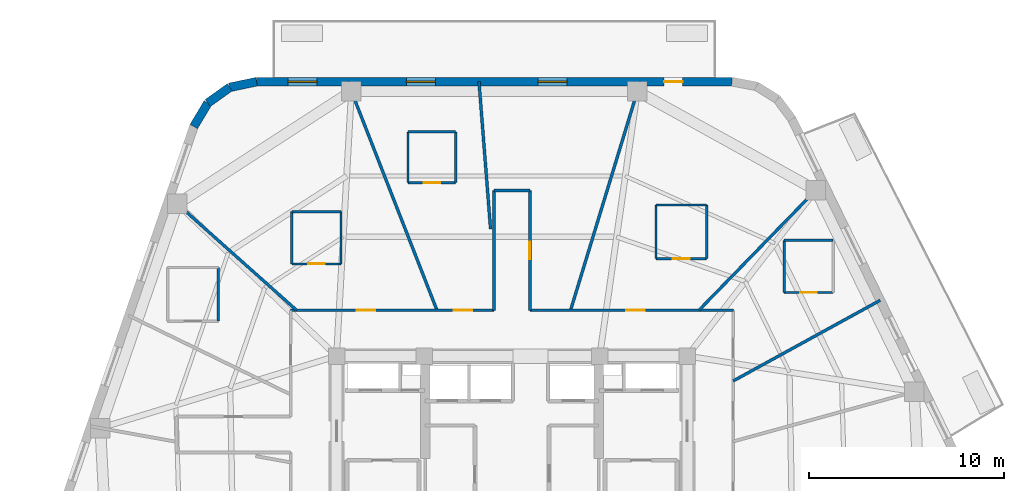
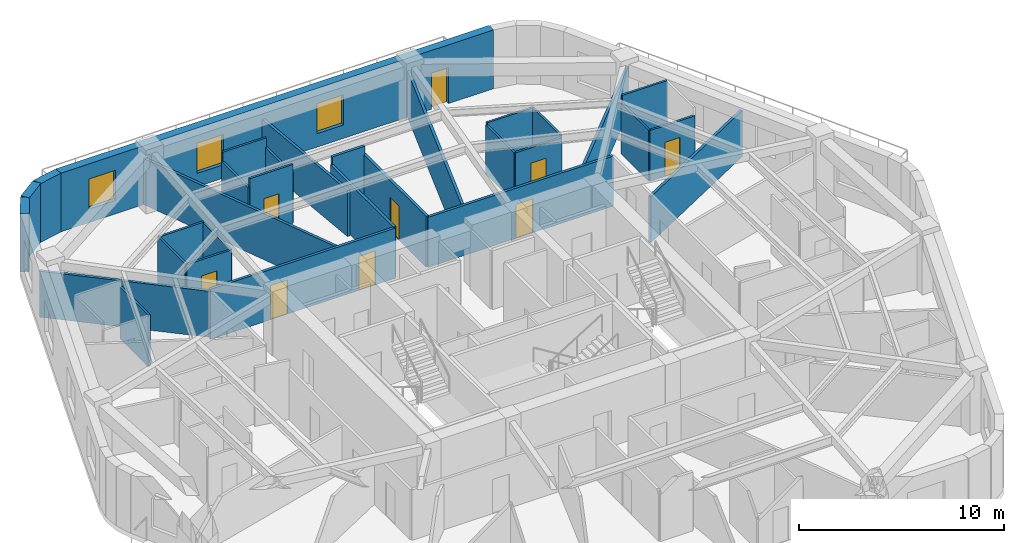
# One storey, part 6 of 10: 31 walls, 9 doors, 3 windows, 12 openings.
"""IFC4 building model written with IfcOpenShell, lengths in metres."""

from ifc_helpers import new_model, si_unit, direction, frame, frame_2d, origin, place, context, subcontext, project, spatial, rectangle, extrude, material, layer, layer_set, type_object, element, fill, save


model = new_model("IFC4")

# Units and contexts
model_context = context("Model", 3, precision=1e-05, world=origin(), true_north=direction((0.0, 1.0)))
body_context = subcontext(model_context, "Body", "Model", "MODEL_VIEW")
ifc_project = project(units=[si_unit("LENGTHUNIT", "METRE"), si_unit("AREAUNIT", "SQUARE_METRE"), si_unit("VOLUMEUNIT", "CUBIC_METRE"), si_unit("PLANEANGLEUNIT", "RADIAN"), si_unit("MASSUNIT", "GRAM", prefix="KILO")], contexts=[model_context])

# Site, building, storey
site_placement = place(None, origin())
site = spatial("IfcSite", under=ifc_project, at=site_placement, CompositionType="ELEMENT")
building_placement = place(site_placement, origin())
building = spatial("IfcBuilding", under=site, at=building_placement, Name="Kilnhurst Terrace Hotel", CompositionType="ELEMENT")
storey_placement = place(building_placement, frame((0.0, 0.0, 244.5)))
storey = spatial("IfcBuildingStorey", under=building, at=storey_placement, Name="L61", CompositionType="ELEMENT", Elevation=244.5)

# Walls
ifc_material_1 = material(Name="Precast concrete C40/50", Category="concrete")
ifc_layer_1 = layer(ifc_material_1, 0.449951171875, Name="Precast concrete C40/50")
ifc_layer_set_1 = layer_set([ifc_layer_1], Name="Precast concrete C40/50")
wall_type_1 = type_object("IfcWallType", Name="WL-BRK-450", PredefinedType="SOLIDWALL", material=ifc_layer_set_1)
wall_1_placement = place(storey_placement, frame((-13.1015625, 21.574951171875, 0.0), z_axis=(0.0, 0.0, 1.0), x_axis=(-0.978757421505, -0.205021730188, 0.0)))
element("IfcWall", 1, at=wall_1_placement, inside=storey, type_object=wall_type_1, Name="L61 Rounded Corner Brick Wall C5.1", PredefinedType="SOLIDWALL", context=body_context, shape_type="SweptSolid", body=[
    extrude(rectangle(XDim=1.40625, YDim=0.449951171875, at=frame_2d((0.703125, 0.0))), origin(), (0.0, 0.0, 1.0), 3.5),
])
wall_2_placement = place(storey_placement, frame((-14.47802734375, 21.28662109375, 0.0), z_axis=(0.0, 0.0, 1.0), x_axis=(-0.813888518617, -0.58102106611, 0.0)))
element("IfcWall", 2, at=wall_2_placement, inside=storey, type_object=wall_type_1, Name="L61 Rounded Corner Brick Wall C5.2", PredefinedType="SOLIDWALL", context=body_context, shape_type="SweptSolid", body=[
    extrude(rectangle(XDim=1.3828125, YDim=0.449951171875, at=frame_2d((0.69140625, 0.0))), origin(), (0.0, 0.0, 1.0), 3.5),
])
wall_3_placement = place(storey_placement, frame((-15.603515625, 20.483154296875, 0.0), z_axis=(0.0, 0.0, 1.0), x_axis=(-0.512222149036, -0.858852996756, 0.0)))
element("IfcWall", 3, at=wall_3_placement, inside=storey, type_object=wall_type_1, Name="L61 Rounded Corner Brick Wall C5.3", PredefinedType="SOLIDWALL", context=body_context, shape_type="SweptSolid", body=[
    extrude(rectangle(XDim=1.406494140625, YDim=0.449951171875, at=frame_2d((0.703125, 0.0))), origin(), (0.0, 0.0, 1.0), 3.5),
])

# Wall, openings, door, windows
wall_4_placement = place(storey_placement, frame((11.297607421875, 21.574951171875, 0.0), z_axis=(0.0, 0.0, 1.0), x_axis=(-1.0, 0.0, 0.0)))
wall_4 = element("IfcWall", 4, at=wall_4_placement, inside=storey, type_object=wall_type_1, Name="L61 Exterior Brick Facade Wall F4", PredefinedType="SOLIDWALL", context=body_context, shape_type="SweptSolid", body=[
    extrude(rectangle(XDim=24.399169921875, YDim=0.449951171875, at=frame_2d((12.19970703125, 0.0))), origin(), (0.0, 0.0, 1.0), 3.5),
])
opening_1_placement = place(wall_4_placement, frame((2.550048828125, 0.0, 0.0)))
opening_1 = element("IfcOpeningElement", 5, at=opening_1_placement, cuts=wall_4, Name="Opening BD-950", PredefinedType="OPENING", context=body_context, shape_type="SweptSolid", body=[
    extrude(rectangle(XDim=0.949951171875, YDim=2.14990234375, at=frame_2d((0.47509765625, 1.074951171875))), frame((0.0, 0.23486328125, 0.0), z_axis=(0.0, -1.0, 0.0), x_axis=(1.0, 0.0, 0.0)), (0.0, 0.0, 1.0), 0.469970703125),
])
opening_2_placement = place(wall_4_placement, frame((8.468994140625, 0.0, 0.800048828125)))
opening_2 = element("IfcOpeningElement", 6, at=opening_2_placement, cuts=wall_4, Name="Opening W-02", PredefinedType="OPENING", context=body_context, shape_type="SweptSolid", body=[
    extrude(rectangle(XDim=1.5, YDim=1.800048828125, at=frame_2d((0.75, 0.89990234375))), frame((0.0, 0.23486328125, 0.0), z_axis=(0.0, -1.0, 0.0), x_axis=(1.0, 0.0, 0.0)), (0.0, 0.0, 1.0), 0.469970703125),
])
opening_3_placement = place(wall_4_placement, frame((15.221923828125, 0.0, 0.800048828125)))
opening_3 = element("IfcOpeningElement", 7, at=opening_3_placement, cuts=wall_4, Name="Opening W-02", PredefinedType="OPENING", context=body_context, shape_type="SweptSolid", body=[
    extrude(rectangle(XDim=1.5, YDim=1.800048828125, at=frame_2d((0.75, 0.89990234375))), frame((0.0, 0.23486328125, 0.0), z_axis=(0.0, -1.0, 0.0), x_axis=(1.0, 0.0, 0.0)), (0.0, 0.0, 1.0), 0.469970703125),
])
opening_4_placement = place(wall_4_placement, frame((21.2958984375, 0.0, 0.800048828125)))
opening_4 = element("IfcOpeningElement", 8, at=opening_4_placement, cuts=wall_4, Name="Opening W-02", PredefinedType="OPENING", context=body_context, shape_type="SweptSolid", body=[
    extrude(rectangle(XDim=1.5, YDim=1.800048828125, at=frame_2d((0.75, 0.89990234375))), frame((0.0, 0.23486328125, 0.0), z_axis=(0.0, -1.0, 0.0), x_axis=(1.0, 0.0, 0.0)), (0.0, 0.0, 1.0), 0.469970703125),
])
ifc_material_2 = material(Name="Thermally Broken Bronze Aluminium Alloy 6063-T6 and Laminated Glass", Category="aluminium")
door_type_1 = type_object("IfcDoorType", Name="DR-EXT-BAL-950", OperationType="NOTDEFINED", PredefinedType="DOOR", material=ifc_material_2)
door_1_placement = place(opening_1_placement, origin())
door_1 = element("IfcDoor", 9, at=door_1_placement, inside=storey, type_object=door_type_1, Name="L61 Planted Balcony Door BAL-L1B", OperationType="SINGLE_SWING_RIGHT", OverallHeight=2.14990234375, OverallWidth=0.949951171875, PredefinedType="DOOR", context=body_context, shape_type="SweptSolid", body=[
    extrude(rectangle(XDim=0.949951171875, YDim=2.14990234375, at=frame_2d((0.47509765625, 1.074951171875))), frame((0.0, 0.02490234375, 0.0), z_axis=(0.0, -1.0, 0.0), x_axis=(1.0, 0.0, 0.0)), (0.0, 0.0, 1.0), 0.050048828125),
])
fill(opening_1, door_1)
ifc_material_3 = material(Name="Thermally Broken Bronze Aluminium Alloy 6063-T6 and Low-E Glass", Category="aluminium")
window_type = type_object("IfcWindowType", Name="WIN-1500X1800", PartitioningType="SINGLE_PANEL", PredefinedType="WINDOW", material=ifc_material_3)
window_1_placement = place(opening_2_placement, origin())
window_1 = element("IfcWindow", 10, at=window_1_placement, inside=storey, type_object=window_type, Name="L61 Deep-Set Masonry Window F4.1", OverallHeight=1.800048828125, OverallWidth=1.5, PartitioningType="SINGLE_PANEL", PredefinedType="WINDOW", context=body_context, shape_type="SweptSolid", body=[
    extrude(rectangle(XDim=1.5, YDim=1.800048828125, at=frame_2d((0.75, 0.89990234375))), frame((0.0, 0.030029296875, 0.0), z_axis=(0.0, -1.0, 0.0), x_axis=(1.0, 0.0, 0.0)), (0.0, 0.0, 1.0), 0.06005859375),
])
fill(opening_2, window_1)
window_2_placement = place(opening_3_placement, origin())
window_2 = element("IfcWindow", 11, at=window_2_placement, inside=storey, type_object=window_type, Name="L61 Deep-Set Masonry Window F4.2", OverallHeight=1.800048828125, OverallWidth=1.5, PartitioningType="SINGLE_PANEL", PredefinedType="WINDOW", context=body_context, shape_type="SweptSolid", body=[
    extrude(rectangle(XDim=1.5, YDim=1.800048828125, at=frame_2d((0.75, 0.89990234375))), frame((0.0, 0.030029296875, 0.0), z_axis=(0.0, -1.0, 0.0), x_axis=(1.0, 0.0, 0.0)), (0.0, 0.0, 1.0), 0.06005859375),
])
fill(opening_3, window_2)
window_3_placement = place(opening_4_placement, origin())
window_3 = element("IfcWindow", 12, at=window_3_placement, inside=storey, type_object=window_type, Name="L61 Deep-Set Masonry Window F4.3", OverallHeight=1.800048828125, OverallWidth=1.5, PartitioningType="SINGLE_PANEL", PredefinedType="WINDOW", context=body_context, shape_type="SweptSolid", body=[
    extrude(rectangle(XDim=1.5, YDim=1.800048828125, at=frame_2d((0.75, 0.89990234375))), frame((0.0, 0.030029296875, 0.0), z_axis=(0.0, -1.0, 0.0), x_axis=(1.0, 0.0, 0.0)), (0.0, 0.0, 1.0), 0.06005859375),
])
fill(opening_4, window_3)

# Wall, openings, doors
ifc_material_4 = material(Name="Acoustic Double-Gypsum Corridor Partition Assembly")
ifc_layer_2 = layer(ifc_material_4, 0.14990234375, Name="Acoustic Double-Gypsum Corridor Partition Assembly")
ifc_layer_set_2 = layer_set([ifc_layer_2], Name="Acoustic Double-Gypsum Corridor Partition Assembly")
wall_type_2 = type_object("IfcWallType", Name="WL-COR-150", PredefinedType="PARTITIONING", material=ifc_layer_set_2)
wall_5_placement = place(storey_placement, frame((-11.35009765625, 9.85009765625, 0.0), z_axis=(0.0, 0.0, 1.0), x_axis=(1.0, 0.0, 0.0)))
wall_5 = element("IfcWall", 13, at=wall_5_placement, inside=storey, type_object=wall_type_2, Name="L61 Interior Wall WL-L61-COR-06", PredefinedType="PARTITIONING", context=body_context, shape_type="SweptSolid", body=[
    extrude(rectangle(XDim=10.43017578125, YDim=0.14990234375, at=frame_2d((5.215087890625, 0.0))), origin(), (0.0, 0.0, 1.0), 2.989990234375),
])
opening_5_placement = place(wall_5_placement, frame((8.362060546875, 0.0, 0.0)))
opening_5 = element("IfcOpeningElement", 14, at=opening_5_placement, cuts=wall_5, Name="Opening D-60B", PredefinedType="OPENING", context=body_context, shape_type="SweptSolid", body=[
    extrude(rectangle(XDim=0.949951171875, YDim=2.030029296875, at=frame_2d((0.47509765625, 1.01513671875))), frame((0.0, 0.0849609375, 0.0), z_axis=(0.0, -1.0, 0.0), x_axis=(1.0, 0.0, 0.0)), (0.0, 0.0, 1.0), 0.169921875),
])
opening_6_placement = place(wall_5_placement, frame((3.39599609375, 0.0, 0.0)))
opening_6 = element("IfcOpeningElement", 15, at=opening_6_placement, cuts=wall_5, Name="Opening D-60B", PredefinedType="OPENING", context=body_context, shape_type="SweptSolid", body=[
    extrude(rectangle(XDim=0.949951171875, YDim=2.030029296875, at=frame_2d((0.47509765625, 1.01513671875))), frame((0.0, 0.0849609375, 0.0), z_axis=(0.0, -1.0, 0.0), x_axis=(1.0, 0.0, 0.0)), (0.0, 0.0, 1.0), 0.169921875),
])
ifc_material_5 = material(Name="Acoustic Walnut Veneer Solid-Core Fire Door")
door_type_2 = type_object("IfcDoorType", Name="DR-FD60-950", OperationType="NOTDEFINED", PredefinedType="DOOR", material=ifc_material_5)
door_2_placement = place(opening_5_placement, origin())
door_2 = element("IfcDoor", 16, at=door_2_placement, inside=storey, type_object=door_type_2, Name="L61 Guest Room Entry Door 5", OperationType="SINGLE_SWING_LEFT", OverallHeight=2.030029296875, OverallWidth=0.949951171875, PredefinedType="DOOR", context=body_context, shape_type="SweptSolid", body=[
    extrude(rectangle(XDim=0.949951171875, YDim=2.030029296875, at=frame_2d((0.47509765625, 1.01513671875))), frame((0.0, 0.02490234375, 0.0), z_axis=(0.0, -1.0, 0.0), x_axis=(1.0, 0.0, 0.0)), (0.0, 0.0, 1.0), 0.050048828125),
])
fill(opening_5, door_2)
door_3_placement = place(opening_6_placement, origin())
door_3 = element("IfcDoor", 17, at=door_3_placement, inside=storey, type_object=door_type_2, Name="L61 Executive Suite Entry Door 6", OperationType="SINGLE_SWING_RIGHT", OverallHeight=2.030029296875, OverallWidth=0.949951171875, PredefinedType="DOOR", context=body_context, shape_type="SweptSolid", body=[
    extrude(rectangle(XDim=0.949951171875, YDim=2.030029296875, at=frame_2d((0.47509765625, 1.01513671875))), frame((0.0, 0.02490234375, 0.0), z_axis=(0.0, -1.0, 0.0), x_axis=(1.0, 0.0, 0.0)), (0.0, 0.0, 1.0), 0.050048828125),
])
fill(opening_6, door_3)

# Walls
wall_6_placement = place(storey_placement, frame((-0.919921875, 9.85009765625, 0.0), z_axis=(0.0, 0.0, 1.0), x_axis=(0.0, 1.0, 0.0)))
element("IfcWall", 18, at=wall_6_placement, inside=storey, type_object=wall_type_2, Name="L61 Interior Wall WL-L61-COR-07", PredefinedType="PARTITIONING", context=body_context, shape_type="SweptSolid", body=[
    extrude(rectangle(XDim=6.14990234375, YDim=0.14990234375, at=frame_2d((3.074951171875, 0.0))), origin(), (0.0, 0.0, 1.0), 3.026611328125),
])
wall_7_placement = place(storey_placement, frame((-0.919921875, 16.0, 0.0), z_axis=(0.0, 0.0, 1.0), x_axis=(1.0, 0.0, 0.0)))
element("IfcWall", 19, at=wall_7_placement, inside=storey, type_object=wall_type_2, Name="L61 Interior Wall WL-L61-COR-08", PredefinedType="PARTITIONING", context=body_context, shape_type="SweptSolid", body=[
    extrude(rectangle(XDim=1.83984375, YDim=0.14990234375, at=frame_2d((0.919921875, 0.0))), origin(), (0.0, 0.0, 1.0), 3.5),
])

# Wall, opening, door
wall_8_placement = place(storey_placement, frame((0.919921875, 16.0, 0.0), z_axis=(0.0, 0.0, 1.0), x_axis=(0.0, -1.0, 0.0)))
wall_8 = element("IfcWall", 20, at=wall_8_placement, inside=storey, type_object=wall_type_2, Name="L61 Interior Wall WL-L61-COR-09", PredefinedType="PARTITIONING", context=body_context, shape_type="SweptSolid", body=[
    extrude(rectangle(XDim=6.14990234375, YDim=0.14990234375, at=frame_2d((3.074951171875, 0.0))), origin(), (0.0, 0.0, 1.0), 3.026611328125),
])
opening_7_placement = place(wall_8_placement, frame((2.625, 0.0, 0.0)))
opening_7 = element("IfcOpeningElement", 21, at=opening_7_placement, cuts=wall_8, Name="Opening D-60C", PredefinedType="OPENING", context=body_context, shape_type="SweptSolid", body=[
    extrude(rectangle(XDim=0.89990234375, YDim=2.030029296875, at=frame_2d((0.449951171875, 1.01513671875))), frame((0.0, 0.0849609375, 0.0), z_axis=(0.0, -1.0, 0.0), x_axis=(1.0, 0.0, 0.0)), (0.0, 0.0, 1.0), 0.169921875),
])
ifc_material_6 = material(Name="Painted Solid-Core Service Fire Door")
door_type_3 = type_object("IfcDoorType", Name="DR-FD60-900", OperationType="NOTDEFINED", PredefinedType="DOOR", material=ifc_material_6)
door_4_placement = place(opening_7_placement, origin())
door_4 = element("IfcDoor", 22, at=door_4_placement, inside=storey, type_object=door_type_3, Name="L61 Executive Work Office Door 4", OperationType="SINGLE_SWING_RIGHT", OverallHeight=2.030029296875, OverallWidth=0.89990234375, PredefinedType="DOOR", context=body_context, shape_type="SweptSolid", body=[
    extrude(rectangle(XDim=0.89990234375, YDim=2.030029296875, at=frame_2d((0.449951171875, 1.01513671875))), frame((0.0, 0.02490234375, 0.0), z_axis=(0.0, -1.0, 0.0), x_axis=(1.0, 0.0, 0.0)), (0.0, 0.0, 1.0), 0.050048828125),
])
fill(opening_7, door_4)

wall_9_placement = place(storey_placement, frame((0.919921875, 9.85009765625, 0.0), z_axis=(0.0, 0.0, 1.0), x_axis=(1.0, 0.0, 0.0)))
wall_9 = element("IfcWall", 23, at=wall_9_placement, inside=storey, type_object=wall_type_2, Name="L61 Interior Wall WL-L61-COR-10", PredefinedType="PARTITIONING", context=body_context, shape_type="SweptSolid", body=[
    extrude(rectangle(XDim=10.43017578125, YDim=0.14990234375, at=frame_2d((5.215087890625, 0.0))), origin(), (0.0, 0.0, 1.0), 2.989990234375),
])
opening_8_placement = place(wall_9_placement, frame((4.948974609375, 0.0, 0.0)))
opening_8 = element("IfcOpeningElement", 24, at=opening_8_placement, cuts=wall_9, Name="Opening D-60B", PredefinedType="OPENING", context=body_context, shape_type="SweptSolid", body=[
    extrude(rectangle(XDim=0.949951171875, YDim=2.030029296875, at=frame_2d((0.47509765625, 1.01513671875))), frame((0.0, 0.0849609375, 0.0), z_axis=(0.0, -1.0, 0.0), x_axis=(1.0, 0.0, 0.0)), (0.0, 0.0, 1.0), 0.169921875),
])
door_5_placement = place(opening_8_placement, origin())
door_5 = element("IfcDoor", 25, at=door_5_placement, inside=storey, type_object=door_type_2, Name="L61 Executive Suite Entry Door 3", OperationType="SINGLE_SWING_LEFT", OverallHeight=2.030029296875, OverallWidth=0.949951171875, PredefinedType="DOOR", context=body_context, shape_type="SweptSolid", body=[
    extrude(rectangle(XDim=0.949951171875, YDim=2.030029296875, at=frame_2d((0.47509765625, 1.01513671875))), frame((0.0, 0.02490234375, 0.0), z_axis=(0.0, -1.0, 0.0), x_axis=(1.0, 0.0, 0.0)), (0.0, 0.0, 1.0), 0.050048828125),
])
fill(opening_8, door_5)

# Walls
ifc_material_7 = material(Name="STC-58 Acoustic Twin-Frame Guestroom Demising Partition")
ifc_layer_3 = layer(ifc_material_7, 0.14990234375, Name="STC-58 Acoustic Twin-Frame Guestroom Demising Partition")
ifc_layer_set_3 = layer_set([ifc_layer_3], Name="STC-58 Acoustic Twin-Frame Guestroom Demising Partition")
wall_type_3 = type_object("IfcWallType", Name="WL-DEM-150", PredefinedType="PARTITIONING", material=ifc_layer_set_3)
wall_10_placement = place(storey_placement, frame((11.35009765625, 6.2265625, 0.0), z_axis=(0.0, 0.0, 1.0), x_axis=(0.876723190824, 0.480995266786, 0.0)))
element("IfcWall", 26, at=wall_10_placement, inside=storey, type_object=wall_type_3, Name="L61 Interior Wall WL-L61-DEM-MID01-02-1", PredefinedType="PARTITIONING", context=body_context, shape_type="SweptSolid", body=[
    extrude(rectangle(XDim=8.598388671875, YDim=0.14990234375, at=frame_2d((4.29931640625, 0.0))), origin(), (0.0, 0.0, 1.0), 2.739990234375),
])
wall_11_placement = place(storey_placement, frame((9.587890625, 9.85009765625, 0.0), z_axis=(0.0, 0.0, 1.0), x_axis=(0.697519469595, 0.716565830567, 0.0)))
element("IfcWall", 27, at=wall_11_placement, inside=storey, type_object=wall_type_3, Name="L61 Interior Wall WL-L61-DEM-COL02-03-1", PredefinedType="PARTITIONING", context=body_context, shape_type="SweptSolid", body=[
    extrude(rectangle(XDim=9.12646484375, YDim=0.14990234375, at=frame_2d((4.563232421875, 0.0))), origin(), (0.0, 0.0, 1.0), 2.739990234375),
])
wall_12_placement = place(storey_placement, frame((3.00439453125, 9.85009765625, 0.0), z_axis=(0.0, 0.0, 1.0), x_axis=(0.291775760688, 0.956486751333, 0.0)))
element("IfcWall", 28, at=wall_12_placement, inside=storey, type_object=wall_type_3, Name="L61 Interior Wall WL-L61-DEM-COL03-04-1", PredefinedType="PARTITIONING", context=body_context, shape_type="SweptSolid", body=[
    extrude(rectangle(XDim=12.25830078125, YDim=0.14990234375, at=frame_2d((6.129150390625, 0.0))), origin(), (0.0, 0.0, 1.0), 2.739990234375),
])
wall_13_placement = place(storey_placement, frame((-1.10009765625, 14.017578125, 0.0), z_axis=(0.0, 0.0, 1.0), x_axis=(-0.078228275349, 0.996935472804, 0.0)))
element("IfcWall", 29, at=wall_13_placement, inside=storey, type_object=wall_type_3, Name="L61 Interior Wall WL-L61-DEM-MID03-05-1", PredefinedType="PARTITIONING", context=body_context, shape_type="SweptSolid", body=[
    extrude(rectangle(XDim=7.58056640625, YDim=0.14990234375, at=frame_2d((3.790283203125, 0.0))), origin(), (0.0, 0.0, 1.0), 2.739990234375),
])
wall_14_placement = place(storey_placement, frame((-3.848388671875, 9.85009765625, 0.0), z_axis=(0.0, 0.0, 1.0), x_axis=(-0.363921778212, 0.931429513889, 0.0)))
element("IfcWall", 30, at=wall_14_placement, inside=storey, type_object=wall_type_3, Name="L61 Interior Wall WL-L61-DEM-COL04-06-1", PredefinedType="PARTITIONING", context=body_context, shape_type="SweptSolid", body=[
    extrude(rectangle(XDim=12.588134765625, YDim=0.14990234375, at=frame_2d((6.2939453125, 0.0))), origin(), (0.0, 0.0, 1.0), 2.739990234375),
])
wall_15_placement = place(storey_placement, frame((-11.04833984375, 9.85009765625, 0.0), z_axis=(0.0, 0.0, 1.0), x_axis=(-0.746444434655, 0.665447748492, 0.0)))
element("IfcWall", 31, at=wall_15_placement, inside=storey, type_object=wall_type_3, Name="L61 Interior Wall WL-L61-DEM-COL05-07-1", PredefinedType="PARTITIONING", context=body_context, shape_type="SweptSolid", body=[
    extrude(rectangle(XDim=8.732177734375, YDim=0.14990234375, at=frame_2d((4.3662109375, 0.0))), origin(), (0.0, 0.0, 1.0), 2.739990234375),
])

# Wall, opening, door
ifc_material_8 = material(Name="120 mm Moisture-Resistant Tile-Backed Bathroom Partition")
ifc_layer_4 = layer(ifc_material_8, 0.1201171875, Name="120 mm Moisture-Resistant Tile-Backed Bathroom Partition")
ifc_layer_set_4 = layer_set([ifc_layer_4], Name="120 mm Moisture-Resistant Tile-Backed Bathroom Partition")
wall_type_4 = type_object("IfcWallType", Name="WL-PART-120", PredefinedType="PARTITIONING", material=ifc_layer_set_4)
wall_16_placement = place(storey_placement, frame((13.9580078125, 10.761962890625, 0.0), z_axis=(0.0, 0.0, 1.0), x_axis=(1.0, 0.0, 0.0)))
wall_16 = element("IfcWall", 32, at=wall_16_placement, inside=storey, type_object=wall_type_4, Name="L61 Interior Wall WL-L61-BTH-02-1", PredefinedType="PARTITIONING", context=body_context, shape_type="SweptSolid", body=[
    extrude(rectangle(XDim=2.52001953125, YDim=0.1201171875, at=frame_2d((1.260009765625, 0.0))), origin(), (0.0, 0.0, 1.0), 3.026611328125),
])
opening_9_placement = place(wall_16_placement, frame((0.8349609375, 0.0, 0.0)))
opening_9 = element("IfcOpeningElement", 33, at=opening_9_placement, cuts=wall_16, Name="Opening D-08A", PredefinedType="OPENING", context=body_context, shape_type="SweptSolid", body=[
    extrude(rectangle(XDim=0.85009765625, YDim=2.030029296875, at=frame_2d((0.425048828125, 1.01513671875))), frame((0.0, 0.070068359375, 0.0), z_axis=(0.0, -1.0, 0.0), x_axis=(1.0, 0.0, 0.0)), (0.0, 0.0, 1.0), 0.14013671875),
])
ifc_material_9 = material(Name="Moisture-Resistant Lacquered En-suite Bathroom Door")
door_type_4 = type_object("IfcDoorType", Name="DR-INT-850", OperationType="NOTDEFINED", PredefinedType="DOOR", material=ifc_material_9)
door_6_placement = place(opening_9_placement, origin())
door_6 = element("IfcDoor", 34, at=door_6_placement, inside=storey, type_object=door_type_4, Name="L61 En-suite Bathroom Door 2", OperationType="SINGLE_SWING_LEFT", OverallHeight=2.030029296875, OverallWidth=0.85009765625, PredefinedType="DOOR", context=body_context, shape_type="SweptSolid", body=[
    extrude(rectangle(XDim=0.85009765625, YDim=2.030029296875, at=frame_2d((0.425048828125, 1.01513671875))), frame((0.0, 0.02490234375, 0.0), z_axis=(0.0, -1.0, 0.0), x_axis=(1.0, 0.0, 0.0)), (0.0, 0.0, 1.0), 0.050048828125),
])
fill(opening_9, door_6)

# Walls
wall_17_placement = place(storey_placement, frame((16.47802734375, 13.44189453125, 0.0), z_axis=(0.0, 0.0, 1.0), x_axis=(-1.0, 0.0, 0.0)))
element("IfcWall", 35, at=wall_17_placement, inside=storey, type_object=wall_type_4, Name="L61 Interior Wall WL-L61-BTH-02-3", PredefinedType="PARTITIONING", context=body_context, shape_type="SweptSolid", body=[
    extrude(rectangle(XDim=2.52001953125, YDim=0.1201171875, at=frame_2d((1.260009765625, 0.0))), origin(), (0.0, 0.0, 1.0), 3.5),
])
wall_18_placement = place(storey_placement, frame((13.9580078125, 13.44189453125, 0.0), z_axis=(0.0, 0.0, 1.0), x_axis=(0.0, -1.0, 0.0)))
element("IfcWall", 36, at=wall_18_placement, inside=storey, type_object=wall_type_4, Name="L61 Interior Wall WL-L61-BTH-02-4", PredefinedType="PARTITIONING", context=body_context, shape_type="SweptSolid", body=[
    extrude(rectangle(XDim=2.679931640625, YDim=0.1201171875, at=frame_2d((1.33984375, 0.0))), origin(), (0.0, 0.0, 1.0), 3.026611328125),
])

# Wall, opening, door
wall_19_placement = place(storey_placement, frame((7.383056640625, 12.4970703125, 0.0), z_axis=(0.0, 0.0, 1.0), x_axis=(1.0, 0.0, 0.0)))
wall_19 = element("IfcWall", 37, at=wall_19_placement, inside=storey, type_object=wall_type_4, Name="L61 Interior Wall WL-L61-BTH-03-1", PredefinedType="PARTITIONING", context=body_context, shape_type="SweptSolid", body=[
    extrude(rectangle(XDim=2.599853515625, YDim=0.1201171875, at=frame_2d((1.2998046875, 0.0))), origin(), (0.0, 0.0, 1.0), 2.9404296875),
])
opening_10_placement = place(wall_19_placement, frame((0.875, 0.0, 0.0)))
opening_10 = element("IfcOpeningElement", 38, at=opening_10_placement, cuts=wall_19, Name="Opening D-08A", PredefinedType="OPENING", context=body_context, shape_type="SweptSolid", body=[
    extrude(rectangle(XDim=0.85009765625, YDim=2.030029296875, at=frame_2d((0.425048828125, 1.01513671875))), frame((0.0, 0.070068359375, 0.0), z_axis=(0.0, -1.0, 0.0), x_axis=(1.0, 0.0, 0.0)), (0.0, 0.0, 1.0), 0.14013671875),
])
door_7_placement = place(opening_10_placement, origin())
door_7 = element("IfcDoor", 39, at=door_7_placement, inside=storey, type_object=door_type_4, Name="L61 En-suite Bathroom Door 3", OperationType="SINGLE_SWING_RIGHT", OverallHeight=2.030029296875, OverallWidth=0.85009765625, PredefinedType="DOOR", context=body_context, shape_type="SweptSolid", body=[
    extrude(rectangle(XDim=0.85009765625, YDim=2.030029296875, at=frame_2d((0.425048828125, 1.01513671875))), frame((0.0, 0.02490234375, 0.0), z_axis=(0.0, -1.0, 0.0), x_axis=(1.0, 0.0, 0.0)), (0.0, 0.0, 1.0), 0.050048828125),
])
fill(opening_10, door_7)

# Walls
wall_20_placement = place(storey_placement, frame((9.98291015625, 12.4970703125, 0.0), z_axis=(0.0, 0.0, 1.0), x_axis=(0.0, 1.0, 0.0)))
element("IfcWall", 40, at=wall_20_placement, inside=storey, type_object=wall_type_4, Name="L61 Interior Wall WL-L61-BTH-03-2", PredefinedType="PARTITIONING", context=body_context, shape_type="SweptSolid", body=[
    extrude(rectangle(XDim=2.75, YDim=0.1201171875, at=frame_2d((1.375, 0.0))), origin(), (0.0, 0.0, 1.0), 3.072509765625),
])
wall_21_placement = place(storey_placement, frame((9.98291015625, 15.2470703125, 0.0), z_axis=(0.0, 0.0, 1.0), x_axis=(-1.0, 0.0, 0.0)))
element("IfcWall", 41, at=wall_21_placement, inside=storey, type_object=wall_type_4, Name="L61 Interior Wall WL-L61-BTH-03-3", PredefinedType="PARTITIONING", context=body_context, shape_type="SweptSolid", body=[
    extrude(rectangle(XDim=2.599853515625, YDim=0.1201171875, at=frame_2d((1.2998046875, 0.0))), origin(), (0.0, 0.0, 1.0), 3.072509765625),
])
wall_22_placement = place(storey_placement, frame((7.383056640625, 15.2470703125, 0.0), z_axis=(0.0, 0.0, 1.0), x_axis=(0.0, -1.0, 0.0)))
element("IfcWall", 42, at=wall_22_placement, inside=storey, type_object=wall_type_4, Name="L61 Interior Wall WL-L61-BTH-03-4", PredefinedType="PARTITIONING", context=body_context, shape_type="SweptSolid", body=[
    extrude(rectangle(XDim=2.75, YDim=0.1201171875, at=frame_2d((1.375, 0.0))), origin(), (0.0, 0.0, 1.0), 2.9404296875),
])

# Wall, opening, door
wall_23_placement = place(storey_placement, frame((-5.333984375, 16.39208984375, 0.0), z_axis=(0.0, 0.0, 1.0), x_axis=(1.0, 0.0, 0.0)))
wall_23 = element("IfcWall", 43, at=wall_23_placement, inside=storey, type_object=wall_type_4, Name="L61 Interior Wall WL-L61-BTH-05-1", PredefinedType="PARTITIONING", context=body_context, shape_type="SweptSolid", body=[
    extrude(rectangle(XDim=2.43994140625, YDim=0.1201171875, at=frame_2d((1.219970703125, 0.0))), origin(), (0.0, 0.0, 1.0), 3.5),
])
opening_11_placement = place(wall_23_placement, frame((0.794921875, 0.0, 0.0)))
opening_11 = element("IfcOpeningElement", 44, at=opening_11_placement, cuts=wall_23, Name="Opening D-08A", PredefinedType="OPENING", context=body_context, shape_type="SweptSolid", body=[
    extrude(rectangle(XDim=0.85009765625, YDim=2.030029296875, at=frame_2d((0.425048828125, 1.01513671875))), frame((0.0, 0.070068359375, 0.0), z_axis=(0.0, -1.0, 0.0), x_axis=(1.0, 0.0, 0.0)), (0.0, 0.0, 1.0), 0.14013671875),
])
door_8_placement = place(opening_11_placement, origin())
door_8 = element("IfcDoor", 45, at=door_8_placement, inside=storey, type_object=door_type_4, Name="L61 En-suite Bathroom Door 5", OperationType="SINGLE_SWING_RIGHT", OverallHeight=2.030029296875, OverallWidth=0.85009765625, PredefinedType="DOOR", context=body_context, shape_type="SweptSolid", body=[
    extrude(rectangle(XDim=0.85009765625, YDim=2.030029296875, at=frame_2d((0.425048828125, 1.01513671875))), frame((0.0, 0.02490234375, 0.0), z_axis=(0.0, -1.0, 0.0), x_axis=(1.0, 0.0, 0.0)), (0.0, 0.0, 1.0), 0.050048828125),
])
fill(opening_11, door_8)

# Walls
wall_24_placement = place(storey_placement, frame((-2.89404296875, 16.39208984375, 0.0), z_axis=(0.0, 0.0, 1.0), x_axis=(0.0, 1.0, 0.0)))
element("IfcWall", 46, at=wall_24_placement, inside=storey, type_object=wall_type_4, Name="L61 Interior Wall WL-L61-BTH-05-2", PredefinedType="PARTITIONING", context=body_context, shape_type="SweptSolid", body=[
    extrude(rectangle(XDim=2.60986328125, YDim=0.1201171875, at=frame_2d((1.304931640625, 0.0))), origin(), (0.0, 0.0, 1.0), 2.9404296875),
])
wall_25_placement = place(storey_placement, frame((-2.89404296875, 19.001953125, 0.0), z_axis=(0.0, 0.0, 1.0), x_axis=(-1.0, 0.0, 0.0)))
element("IfcWall", 47, at=wall_25_placement, inside=storey, type_object=wall_type_4, Name="L61 Interior Wall WL-L61-BTH-05-3", PredefinedType="PARTITIONING", context=body_context, shape_type="SweptSolid", body=[
    extrude(rectangle(XDim=2.43994140625, YDim=0.1201171875, at=frame_2d((1.219970703125, 0.0))), origin(), (0.0, 0.0, 1.0), 3.5),
])
wall_26_placement = place(storey_placement, frame((-5.333984375, 19.001953125, 0.0), z_axis=(0.0, 0.0, 1.0), x_axis=(0.0, -1.0, 0.0)))
element("IfcWall", 48, at=wall_26_placement, inside=storey, type_object=wall_type_4, Name="L61 Interior Wall WL-L61-BTH-05-4", PredefinedType="PARTITIONING", context=body_context, shape_type="SweptSolid", body=[
    extrude(rectangle(XDim=2.60986328125, YDim=0.1201171875, at=frame_2d((1.304931640625, 0.0))), origin(), (0.0, 0.0, 1.0), 2.9404296875),
])

# Wall, opening, door
wall_27_placement = place(storey_placement, frame((-11.2919921875, 12.22509765625, 0.0), z_axis=(0.0, 0.0, 1.0), x_axis=(1.0, 0.0, 0.0)))
wall_27 = element("IfcWall", 49, at=wall_27_placement, inside=storey, type_object=wall_type_4, Name="L61 Interior Wall WL-L61-BTH-06-1", PredefinedType="PARTITIONING", context=body_context, shape_type="SweptSolid", body=[
    extrude(rectangle(XDim=2.52001953125, YDim=0.1201171875, at=frame_2d((1.260009765625, 0.0))), origin(), (0.0, 0.0, 1.0), 2.989990234375),
])
opening_12_placement = place(wall_27_placement, frame((0.8349609375, 0.0, 0.0)))
opening_12 = element("IfcOpeningElement", 50, at=opening_12_placement, cuts=wall_27, Name="Opening D-08A", PredefinedType="OPENING", context=body_context, shape_type="SweptSolid", body=[
    extrude(rectangle(XDim=0.85009765625, YDim=2.030029296875, at=frame_2d((0.425048828125, 1.01513671875))), frame((0.0, 0.070068359375, 0.0), z_axis=(0.0, -1.0, 0.0), x_axis=(1.0, 0.0, 0.0)), (0.0, 0.0, 1.0), 0.14013671875),
])
door_9_placement = place(opening_12_placement, origin())
door_9 = element("IfcDoor", 51, at=door_9_placement, inside=storey, type_object=door_type_4, Name="L61 En-suite Bathroom Door 6", OperationType="SINGLE_SWING_LEFT", OverallHeight=2.030029296875, OverallWidth=0.85009765625, PredefinedType="DOOR", context=body_context, shape_type="SweptSolid", body=[
    extrude(rectangle(XDim=0.85009765625, YDim=2.030029296875, at=frame_2d((0.425048828125, 1.01513671875))), frame((0.0, 0.02490234375, 0.0), z_axis=(0.0, -1.0, 0.0), x_axis=(1.0, 0.0, 0.0)), (0.0, 0.0, 1.0), 0.050048828125),
])
fill(opening_12, door_9)

# Walls
wall_28_placement = place(storey_placement, frame((-8.77197265625, 12.22509765625, 0.0), z_axis=(0.0, 0.0, 1.0), x_axis=(0.0, 1.0, 0.0)))
element("IfcWall", 52, at=wall_28_placement, inside=storey, type_object=wall_type_4, Name="L61 Interior Wall WL-L61-BTH-06-2", PredefinedType="PARTITIONING", context=body_context, shape_type="SweptSolid", body=[
    extrude(rectangle(XDim=2.679931640625, YDim=0.1201171875, at=frame_2d((1.33984375, 0.0))), origin(), (0.0, 0.0, 1.0), 2.989990234375),
])
wall_29_placement = place(storey_placement, frame((-8.77197265625, 14.905029296875, 0.0), z_axis=(0.0, 0.0, 1.0), x_axis=(-1.0, 0.0, 0.0)))
element("IfcWall", 53, at=wall_29_placement, inside=storey, type_object=wall_type_4, Name="L61 Interior Wall WL-L61-BTH-06-3", PredefinedType="PARTITIONING", context=body_context, shape_type="SweptSolid", body=[
    extrude(rectangle(XDim=2.52001953125, YDim=0.1201171875, at=frame_2d((1.260009765625, 0.0))), origin(), (0.0, 0.0, 1.0), 3.026611328125),
])
wall_30_placement = place(storey_placement, frame((-11.2919921875, 14.905029296875, 0.0), z_axis=(0.0, 0.0, 1.0), x_axis=(0.0, -1.0, 0.0)))
element("IfcWall", 54, at=wall_30_placement, inside=storey, type_object=wall_type_4, Name="L61 Interior Wall WL-L61-BTH-06-4", PredefinedType="PARTITIONING", context=body_context, shape_type="SweptSolid", body=[
    extrude(rectangle(XDim=2.679931640625, YDim=0.1201171875, at=frame_2d((1.33984375, 0.0))), origin(), (0.0, 0.0, 1.0), 3.026611328125),
])
wall_31_placement = place(storey_placement, frame((-15.06396484375, 9.2939453125, 0.0), z_axis=(0.0, 0.0, 1.0), x_axis=(0.0, 1.0, 0.0)))
element("IfcWall", 55, at=wall_31_placement, inside=storey, type_object=wall_type_4, Name="L61 Interior Wall WL-L61-BTH-07-2", PredefinedType="PARTITIONING", context=body_context, shape_type="SweptSolid", body=[
    extrude(rectangle(XDim=2.75, YDim=0.1201171875, at=frame_2d((1.375, 0.0))), origin(), (0.0, 0.0, 1.0), 3.072509765625),
])

save(model, "model.ifc")
